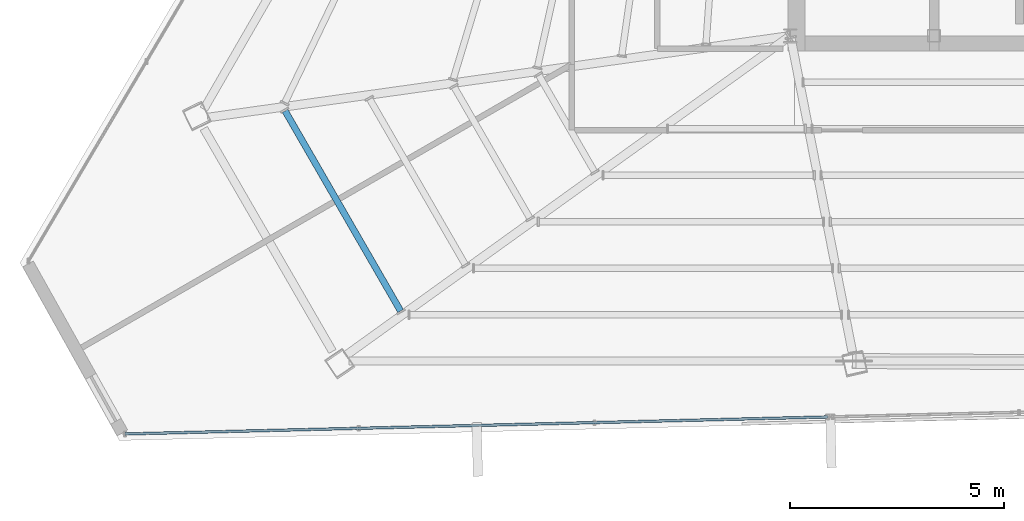
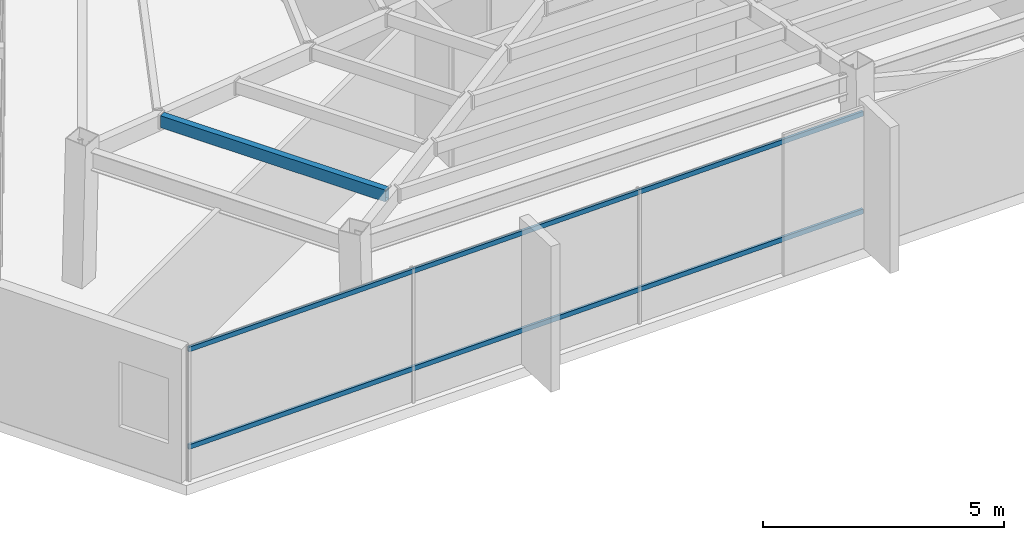
# One storey, part 4 of 48: 2 members, 1 beam, 1 element without a shape of its own.
"""IFC4 building model written with IfcOpenShell, lengths in metres."""

from ifc_helpers import new_model, si_unit, direction, frame, origin, origin_2d, place, context, subcontext, project, spatial, hollow_rectangle, extrude, source, transform, mapped, material, material_profile, profile_set, type_object, type_shapes, element, aggregate, save


model = new_model("IFC4")

# Units and contexts
model_context = context("Model", 3, precision=1e-05, world=origin(), true_north=direction((0.0, 1.0)))
body_context = subcontext(model_context, "Body", "Model", "MODEL_VIEW")
ifc_project = project(units=[si_unit("LENGTHUNIT", "METRE"), si_unit("AREAUNIT", "SQUARE_METRE"), si_unit("VOLUMEUNIT", "CUBIC_METRE"), si_unit("PLANEANGLEUNIT", "RADIAN"), si_unit("MASSUNIT", "GRAM", prefix="KILO")], contexts=[model_context])

# Site, building, storey
site_placement = place(None, origin())
site = spatial("IfcSite", under=ifc_project, at=site_placement, CompositionType="ELEMENT")
building_placement = place(site_placement, origin())
building = spatial("IfcBuilding", under=site, at=building_placement, Name="Caelisora Broadcast Tower", CompositionType="ELEMENT")
storey_placement = place(building_placement, frame((0.0, 0.0, 277.300048828125)))
storey = spatial("IfcBuildingStorey", under=building, at=storey_placement, Name="L73", CompositionType="ELEMENT", Elevation=277.300048828125)

# Beam
ifc_material_1 = material(Name="Steel Grade 350 (AS/NZS 1163 C350L0)", Category="steel")
ifc_material_profile_1 = material_profile(ifc_material_1, hollow_rectangle(XDim=0.14990234375, YDim=0.300048828125, WallThickness=0.010009765625, at=origin_2d()), Name="Steel Grade 350 (AS/NZS 1163 C350L0)")
ifc_profile_set_1 = profile_set([ifc_material_profile_1], Name="Steel Grade 350 (AS/NZS 1163 C350L0)")
beam_type = type_object("IfcBeamType", Name="SB05", PredefinedType="JOIST", material=ifc_profile_set_1)
shared_shape_1 = source(origin(), body_context, "Body", "SweptSolid", [
    extrude(hollow_rectangle(XDim=0.14990234375, YDim=0.300048828125, WallThickness=0.010009765625, at=origin_2d()), origin(), (0.0, 0.0, 1.0), 5.38525390625),
])
type_shapes(beam_type, [shared_shape_1])
beam_placement = place(storey_placement, frame((18.720458984375, 15.649658203125, 3.25), z_axis=(0.499995845334, -0.866027802468, 0.0), x_axis=(0.866027802468, 0.499995845334, 0.0)))
element("IfcBeam", 1, at=beam_placement, inside=storey, type_object=beam_type, Name="L73 beam SB05", PredefinedType="JOIST", context=body_context, shape_type="MappedRepresentation", body=[
    mapped(shared_shape_1, transform((0.0, 0.0, 0.0), scale=1.0)),
])

# Curtain wall, members
ifc_material_2 = material(Name="Unitised Aluminium and Low-E Glass Curtain Wall", Category="glass")
curtain_wall_type = type_object("IfcCurtainWallType", Name="CW-Z5", PredefinedType="NOTDEFINED", material=ifc_material_2)
curtain_wall_placement = place(storey_placement, origin())
curtain_wall = element("IfcCurtainWall", 2, at=curtain_wall_placement, inside=storey, type_object=curtain_wall_type, Name="L73 curtain wall CW-Z5", PredefinedType="NOTDEFINED")
ifc_material_3 = material(Name="Aluminium 6063-T6 Anodised Terracotta Bronze", Category="aluminium")
ifc_material_profile_2 = material_profile(ifc_material_3, hollow_rectangle(XDim=0.06005859375, YDim=0.1201171875, WallThickness=0.0029296875, at=origin_2d()), Name="Aluminium 6063-T6 Anodised Terracotta Bronze")
ifc_profile_set_2 = profile_set([ifc_material_profile_2], Name="Aluminium 6063-T6 Anodised Terracotta Bronze")
member_type = type_object("IfcMemberType", Name="CWT-03", PredefinedType="USERDEFINED", material=ifc_profile_set_2)
shared_shape_2 = source(origin(), body_context, "Body", "SweptSolid", [
    extrude(hollow_rectangle(XDim=0.06005859375, YDim=0.1201171875, WallThickness=0.0029296875, at=origin_2d()), origin(), (0.0, 0.0, 1.0), 16.38720703125),
])
type_shapes(member_type, [shared_shape_2])
member_1_placement = place(storey_placement, frame((31.376220703125, 8.51513671875, 0.849853515625), z_axis=(-0.999706539973, -0.024224655509, 0.0), x_axis=(0.024224655509, -0.999706539973, 0.0)))
member_1 = element("IfcMember", 3, at=member_1_placement, type_object=member_type, Name="L73-CW-B07 transom #1", ObjectType="TRANSOM", PredefinedType="USERDEFINED", context=body_context, shape_type="MappedRepresentation", body=[
    mapped(shared_shape_2, transform((0.0, 0.0, 0.0), scale=1.0)),
])
member_2_placement = place(storey_placement, frame((31.376220703125, 8.51513671875, 3.320068359375), z_axis=(-0.999706539973, -0.024224655509, 0.0), x_axis=(0.024224655509, -0.999706539973, 0.0)))
member_2 = element("IfcMember", 4, at=member_2_placement, type_object=member_type, Name="L73-CW-B07 transom #2", ObjectType="TRANSOM", PredefinedType="USERDEFINED", context=body_context, shape_type="MappedRepresentation", body=[
    mapped(shared_shape_2, transform((0.0, 0.0, 0.0), scale=1.0)),
])
aggregate(curtain_wall, [member_1, member_2])

save(model, "model.ifc")
